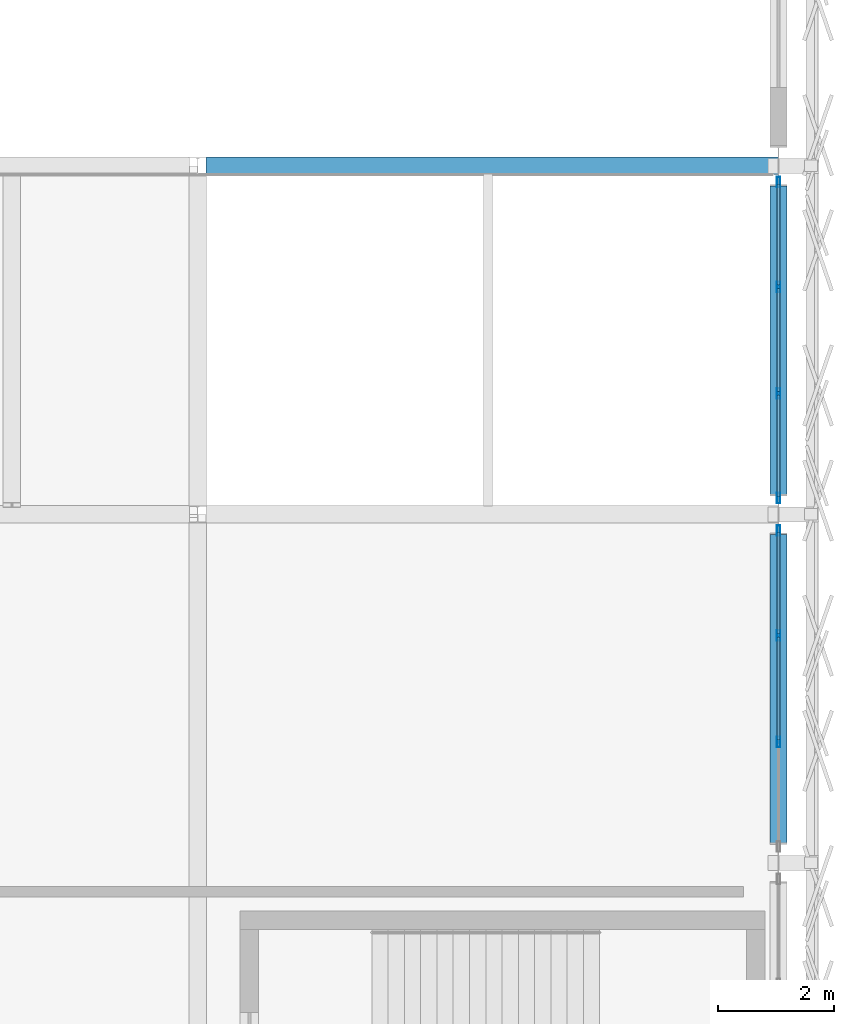
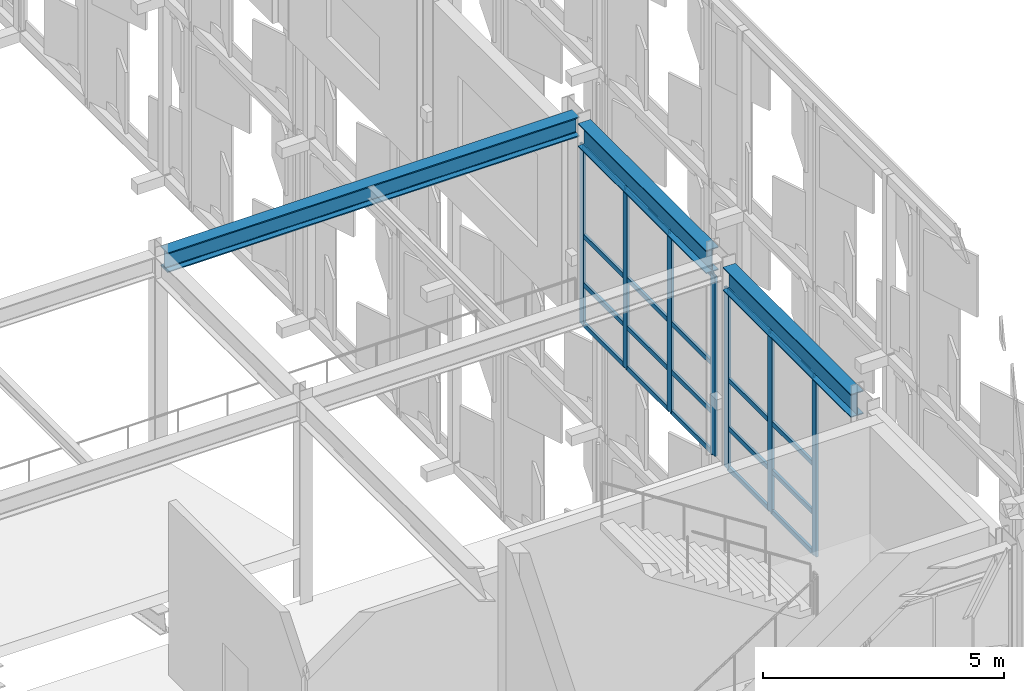
# One storey, part 165 of 239: 27 members, 3 beams, 2 elements without a shape of their own.
"""IFC4 building model written with IfcOpenShell, lengths in metres."""

import ifcopenshell
import ifcopenshell.guid

model = None  # the IFC model being written
_history = None  # IfcOwnerHistory: only IFC2X3 demands one
_inside = {}  # id of a spatial element -> (the spatial element, [elements in it])
_under = {}  # id of a project, library or spatial element -> (it, [spatial elements below it])
_declared = {}  # id of a project -> (the project, [libraries it declares])
_typed = {}  # id of a type object -> (the type object, [elements of that type])
_made_of = {}  # id of a material, layer set ... -> (it, [elements and type objects made of it])


def new_model(schema):
    """Start an empty IFC model of exactly this schema.

    Asked for "IFC4X3", IfcOpenShell would pick the latest addendum, in which some entities
    have other attributes; the version numbers below select the first issue.
    IFC2X3 requires an IfcOwnerHistory on every rooted entity: one is made here for all.
    """
    global model, _history
    if schema == "IFC4X3":
        model = ifcopenshell.file(schema_version=(4, 3, 0, 0))
    else:
        model = ifcopenshell.file(schema=schema)
    _inside.clear()
    _under.clear()
    _declared.clear()
    _typed.clear()
    _made_of.clear()
    _history = None
    if model.schema == "IFC2X3":
        org = make("IfcOrganization", Name="unknown")
        user = make(
            "IfcPersonAndOrganization",
            ThePerson=make("IfcPerson", FamilyName="unknown"),
            TheOrganization=org,
        )
        app = make(
            "IfcApplication",
            ApplicationDeveloper=org,
            Version="unknown",
            ApplicationFullName="unknown",
            ApplicationIdentifier="unknown",
        )
        _history = make(
            "IfcOwnerHistory",
            OwningUser=user,
            OwningApplication=app,
            ChangeAction="ADDED",
            CreationDate=0,
        )
    return model


def make(cls, **values):
    """One entity of the class cls with the attributes given. An attribute that is None is left unset."""
    return model.create_entity(
        cls, **{name: value for name, value in values.items() if value is not None}
    )


def rooted(cls, **values):
    """An entity with a GlobalId (a new one), such as an element, a storey or a relation."""
    return make(cls, GlobalId=ifcopenshell.guid.new(), OwnerHistory=_history, **values)


def si_unit(unit_type, name, prefix=None):
    """IfcSIUnit, for example si_unit("LENGTHUNIT", "METRE", prefix="MILLI")."""
    return make("IfcSIUnit", UnitType=unit_type, Prefix=prefix, Name=name)


def assignment(units):
    """IfcUnitAssignment: the units of a project."""
    return None if units is None else make("IfcUnitAssignment", Units=units)


def point(xyz):
    """IfcCartesianPoint."""
    return None if xyz is None else make("IfcCartesianPoint", Coordinates=xyz)


def direction(xyz):
    """IfcDirection."""
    return None if xyz is None else make("IfcDirection", DirectionRatios=xyz)


def frame(location, z_axis=None, x_axis=None):
    """IfcAxis2Placement3D, a coordinate frame: its origin and axes. An axis left out is left unset."""
    return make(
        "IfcAxis2Placement3D",
        Location=point(location),
        Axis=direction(z_axis),
        RefDirection=direction(x_axis),
    )


def frame_2d(location, x_axis=None):
    """IfcAxis2Placement2D, a coordinate frame in the plane: its origin and x axis."""
    return make(
        "IfcAxis2Placement2D", Location=point(location), RefDirection=direction(x_axis)
    )


def origin():
    """The frame at (0, 0, 0) with its axes left unset."""
    return frame((0.0, 0.0, 0.0))


def origin_2d():
    """The frame at (0, 0) in the plane with its x axis left unset."""
    return frame_2d((0.0, 0.0))


def place(relative_to, where):
    """IfcLocalPlacement: puts the frame where relative to a parent placement (None: the world)."""
    return make(
        "IfcLocalPlacement", PlacementRelTo=relative_to, RelativePlacement=where
    )


def context(
    kind, dimensions, precision=None, world=None, true_north=None, identifier=None
):
    """IfcGeometricRepresentationContext, for example the 3D "Model" context."""
    return make(
        "IfcGeometricRepresentationContext",
        ContextIdentifier=identifier,
        ContextType=kind,
        CoordinateSpaceDimension=dimensions,
        Precision=precision,
        WorldCoordinateSystem=world,
        TrueNorth=true_north,
    )


def subcontext(parent, identifier, kind, view, scale=None):
    """IfcGeometricRepresentationSubContext, for example "Body" below "Model"."""
    return make(
        "IfcGeometricRepresentationSubContext",
        ContextIdentifier=identifier,
        ContextType=kind,
        ParentContext=parent,
        TargetScale=scale,
        TargetView=view,
    )


def project(units=None, contexts=None):
    """IfcProject with its units and contexts."""
    return rooted(
        "IfcProject",
        Name="project",
        RepresentationContexts=contexts,
        UnitsInContext=assignment(units),
    )


def spatial(cls, under=None, at=None, **own):
    """A site, building, storey or space (cls), placed at a placement, below another one or the project."""
    s = rooted(cls, ObjectPlacement=at, **own)
    if under is not None:
        _under.setdefault(under.id(), (under, []))[1].append(s)
    return s


def profile(cls, at=None, kind="AREA", **sizes):
    """A parametric profile (cls). Its sizes go by their IFC names, for example OverallWidth=200.0."""
    return make(cls, ProfileType=kind, Position=at, **sizes)


def hollow_rectangle(**sizes):
    """IfcRectangleHollowProfileDef."""
    return profile("IfcRectangleHollowProfileDef", **sizes)


def i_section(**sizes):
    """IfcIShapeProfileDef."""
    return profile("IfcIShapeProfileDef", **sizes)


def extrude(swept, where, along, depth):
    """IfcExtrudedAreaSolid: the profile swept, set in the frame where, extruded along a direction by depth."""
    return make(
        "IfcExtrudedAreaSolid",
        SweptArea=swept,
        Position=where,
        ExtrudedDirection=direction(along),
        Depth=depth,
    )


def shape(context_of_items, identifier, shape_type, items):
    """IfcShapeRepresentation: the items that make up one representation, for example the "Body"."""
    return make(
        "IfcShapeRepresentation",
        ContextOfItems=context_of_items,
        RepresentationIdentifier=identifier,
        RepresentationType=shape_type,
        Items=items,
    )


def material(Name=None, Category=None):
    """IfcMaterial."""
    return make("IfcMaterial", Name=Name, Category=Category)


def material_profile(
    of_material, cross_section, Name=None, Category=None, Priority=None
):
    """IfcMaterialProfile: a cross section and its material."""
    return make(
        "IfcMaterialProfile",
        Name=Name,
        Material=of_material,
        Profile=cross_section,
        Priority=Priority,
        Category=Category,
    )


def profile_set(profiles, Name=None, composite=None):
    """IfcMaterialProfileSet."""
    return make(
        "IfcMaterialProfileSet",
        Name=Name,
        MaterialProfiles=profiles,
        CompositeProfile=composite,
    )


def made_of(thing, what):
    """Note that an element or type object is made of a material, layer set ...; save() writes the relation."""
    if what is not None:
        _made_of.setdefault(what.id(), (what, []))[1].append(thing)
    return thing


def type_object(cls, material=None, **own):
    """A type object (cls), such as IfcWallType, which elements share."""
    return made_of(rooted(cls, **own), material)


def element(
    cls,
    number,
    at=None,
    inside=None,
    cuts=None,
    type_object=None,
    material=None,
    context=None,
    identifier="Body",
    shape_type=None,
    held_by="IfcProductDefinitionShape",
    body=None,
    shapes=None,
    **own,
):
    """One element of the class cls, such as IfcWall. Its Tag is "e" and its number.

    at: its placement. inside: the storey or other place that contains it. cuts: it is an
    opening in that element (IfcRelVoidsElement). A single representation is given by context,
    identifier, shape_type and body (its items); several are given by shapes. held_by: the class
    of the entity that holds the representations. save() writes the other relations.
    """
    e = rooted(cls, Tag="e%d" % number, ObjectPlacement=at, **own)
    if body is not None:
        shapes = [shape(context, identifier, shape_type, body)]
    if shapes is not None:
        e.Representation = make(held_by, Representations=shapes)
    if inside is not None:
        _inside.setdefault(inside.id(), (inside, []))[1].append(e)
    if cuts is not None:
        rooted(
            "IfcRelVoidsElement", RelatingBuildingElement=cuts, RelatedOpeningElement=e
        )
    if type_object is not None:
        _typed.setdefault(type_object.id(), (type_object, []))[1].append(e)
    return made_of(e, material)


def aggregate(whole, parts):
    """IfcRelAggregates: a whole, such as a stair, and the parts it consists of."""
    return rooted("IfcRelAggregates", RelatingObject=whole, RelatedObjects=parts)


def save(model, path):
    """Write the relations noted so far, then the file.

    IfcRelAggregates (storeys below a building ...), IfcRelContainedInSpatialStructure (elements
    in a storey), IfcRelDefinesByType, IfcRelAssociatesMaterial and IfcRelDeclares: one each for
    every whole, place, type object, material and project.
    """
    for whole, parts in _under.values():
        aggregate(whole, parts)
    for where, things in _inside.values():
        rooted(
            "IfcRelContainedInSpatialStructure",
            RelatedElements=things,
            RelatingStructure=where,
        )
    for kind, things in _typed.values():
        rooted("IfcRelDefinesByType", RelatedObjects=things, RelatingType=kind)
    for what, things in _made_of.values():
        rooted("IfcRelAssociatesMaterial", RelatedObjects=things, RelatingMaterial=what)
    for by, libraries in _declared.values():
        rooted("IfcRelDeclares", RelatingContext=by, RelatedDefinitions=libraries)
    model.write(path)


model = new_model("IFC4")

# Units and contexts
model_context = context("Model", 3, precision=1e-05, world=origin(), true_north=direction((0.0, 1.0)))
body_context = subcontext(model_context, "Body", "Model", "MODEL_VIEW")
ifc_project = project(units=[si_unit("LENGTHUNIT", "METRE"), si_unit("AREAUNIT", "SQUARE_METRE"), si_unit("VOLUMEUNIT", "CUBIC_METRE"), si_unit("PLANEANGLEUNIT", "RADIAN"), si_unit("MASSUNIT", "GRAM", prefix="KILO")], contexts=[model_context])

# Site, building, storey
site_placement = place(None, origin())
site = spatial("IfcSite", under=ifc_project, at=site_placement, CompositionType="ELEMENT")
building_placement = place(site_placement, origin())
building = spatial("IfcBuilding", under=site, at=building_placement, Name="Kaldris Quays Convention Centre", CompositionType="ELEMENT")
storey_placement = place(building_placement, frame((0.0, 0.0, 11.39990234375)))
storey = spatial("IfcBuildingStorey", under=building, at=storey_placement, Name="L02", CompositionType="ELEMENT", Elevation=11.39990234375)

# Curtain wall, members
ifc_material_1 = material(Name="Anodized aluminium AW-6060 and triple glazing", Category="aluminium")
curtain_wall_type = type_object("IfcCurtainWallType", Name="UNITISED CURTAIN WALL CW02", PredefinedType="NOTDEFINED", material=ifc_material_1)
curtain_wall_1_placement = place(storey_placement, origin())
curtain_wall_1 = element("IfcCurtainWall", 1, at=curtain_wall_1_placement, inside=storey, type_object=curtain_wall_type, Name="L02 Unitised Curtain Wall CW02 34", PredefinedType="NOTDEFINED")
ifc_material_2 = material(Name="Anodized aluminium AW-6060", Category="aluminium")
ifc_material_profile_1 = material_profile(ifc_material_2, hollow_rectangle(XDim=0.06005859375, YDim=0.179931640625, WallThickness=0.0048828125, at=origin_2d()), Name="RHS 180x60x5")
ifc_profile_set_1 = profile_set([ifc_material_profile_1], Name="Anodized aluminium AW-6060")
member_type_1 = type_object("IfcMemberType", Name="CURTAIN MULLION CWM2", PredefinedType="MULLION", material=ifc_profile_set_1)
member_1_placement = place(storey_placement, frame((204.0, 64.083251953125, 0.0), z_axis=(0.0, 0.0, 1.0), x_axis=(-1.0, 0.0, 0.0)))
member_1 = element("IfcMember", 2, at=member_1_placement, type_object=member_type_1, Name="CW02 mullion 2", PredefinedType="MULLION", context=body_context, shape_type="SweptSolid", body=[
    extrude(hollow_rectangle(XDim=0.06005859375, YDim=0.179931640625, WallThickness=0.0048828125, at=origin_2d()), origin(), (0.0, 0.0, 1.0), 4.548095703125),
])
member_2_placement = place(storey_placement, frame((204.0, 65.916748046875, 0.0), z_axis=(0.0, 0.0, 1.0), x_axis=(-1.0, 0.0, 0.0)))
member_2 = element("IfcMember", 3, at=member_2_placement, type_object=member_type_1, Name="CW02 mullion 3", PredefinedType="MULLION", context=body_context, shape_type="SweptSolid", body=[
    extrude(hollow_rectangle(XDim=0.06005859375, YDim=0.179931640625, WallThickness=0.0048828125, at=origin_2d()), origin(), (0.0, 0.0, 1.0), 4.548095703125),
])
member_3_placement = place(storey_placement, frame((204.0, 67.719970703125, 0.0), z_axis=(0.0, 0.0, 1.0), x_axis=(-1.0, 0.0, 0.0)))
member_3 = element("IfcMember", 4, at=member_3_placement, type_object=member_type_1, Name="CW02 mullion 4", PredefinedType="MULLION", context=body_context, shape_type="SweptSolid", body=[
    extrude(hollow_rectangle(XDim=0.06005859375, YDim=0.179931640625, WallThickness=0.0048828125, at=origin_2d()), origin(), (0.0, 0.0, 1.0), 4.548095703125),
])

curtain_wall_2_placement = place(storey_placement, origin())
curtain_wall_2 = element("IfcCurtainWall", 5, at=curtain_wall_2_placement, inside=storey, type_object=curtain_wall_type, Name="L02 Unitised Curtain Wall CW02 35", PredefinedType="NOTDEFINED")
member_4_placement = place(storey_placement, frame((204.0, 68.280029296875, 0.0), z_axis=(0.0, 0.0, 1.0), x_axis=(-1.0, 0.0, 0.0)))
member_4 = element("IfcMember", 6, at=member_4_placement, type_object=member_type_1, Name="CW02 mullion 1", PredefinedType="MULLION", context=body_context, shape_type="SweptSolid", body=[
    extrude(hollow_rectangle(XDim=0.06005859375, YDim=0.179931640625, WallThickness=0.0048828125, at=origin_2d()), origin(), (0.0, 0.0, 1.0), 4.548095703125),
])
member_5_placement = place(storey_placement, frame((204.0, 70.083251953125, 0.0), z_axis=(0.0, 0.0, 1.0), x_axis=(-1.0, 0.0, 0.0)))
member_5 = element("IfcMember", 7, at=member_5_placement, type_object=member_type_1, Name="CW02 mullion 2", PredefinedType="MULLION", context=body_context, shape_type="SweptSolid", body=[
    extrude(hollow_rectangle(XDim=0.06005859375, YDim=0.179931640625, WallThickness=0.0048828125, at=origin_2d()), origin(), (0.0, 0.0, 1.0), 4.548095703125),
])
member_6_placement = place(storey_placement, frame((204.0, 71.916748046875, 0.0), z_axis=(0.0, 0.0, 1.0), x_axis=(-1.0, 0.0, 0.0)))
member_6 = element("IfcMember", 8, at=member_6_placement, type_object=member_type_1, Name="CW02 mullion 3", PredefinedType="MULLION", context=body_context, shape_type="SweptSolid", body=[
    extrude(hollow_rectangle(XDim=0.06005859375, YDim=0.179931640625, WallThickness=0.0048828125, at=origin_2d()), origin(), (0.0, 0.0, 1.0), 4.548095703125),
])
member_7_placement = place(storey_placement, frame((204.0, 73.719970703125, 0.0), z_axis=(0.0, 0.0, 1.0), x_axis=(-1.0, 0.0, 0.0)))
member_7 = element("IfcMember", 9, at=member_7_placement, type_object=member_type_1, Name="CW02 mullion 4", PredefinedType="MULLION", context=body_context, shape_type="SweptSolid", body=[
    extrude(hollow_rectangle(XDim=0.06005859375, YDim=0.179931640625, WallThickness=0.0048828125, at=origin_2d()), origin(), (0.0, 0.0, 1.0), 4.548095703125),
])

# Member
ifc_material_profile_2 = material_profile(ifc_material_2, hollow_rectangle(XDim=0.06005859375, YDim=0.1201171875, WallThickness=0.00390625, at=origin_2d()), Name="RHS 120x60x4")
ifc_profile_set_2 = profile_set([ifc_material_profile_2], Name="Anodized aluminium AW-6060")
member_type_2 = type_object("IfcMemberType", Name="CURTAIN TRANSOM CWT1", PredefinedType="USERDEFINED", material=ifc_profile_set_2)
member_8_placement = place(storey_placement, frame((204.0, 64.11328125, 0.030029296875), z_axis=(0.0, 1.0, 0.0), x_axis=(-1.0, 0.0, 0.0)))
member_8 = element("IfcMember", 10, at=member_8_placement, type_object=member_type_2, Name="CW02 transom 2.1", ObjectType="TRANSOM", PredefinedType="USERDEFINED", context=body_context, shape_type="SweptSolid", body=[
    extrude(hollow_rectangle(XDim=0.06005859375, YDim=0.1201171875, WallThickness=0.00390625, at=origin_2d()), origin(), (0.0, 0.0, 1.0), 1.7734375),
])

member_9_placement = place(storey_placement, frame((204.0, 64.11328125, 1.050048828125), z_axis=(0.0, 1.0, 0.0), x_axis=(-1.0, 0.0, 0.0)))
member_9 = element("IfcMember", 11, at=member_9_placement, type_object=member_type_2, Name="CW02 transom 2.2", ObjectType="TRANSOM", PredefinedType="USERDEFINED", context=body_context, shape_type="SweptSolid", body=[
    extrude(hollow_rectangle(XDim=0.06005859375, YDim=0.1201171875, WallThickness=0.00390625, at=origin_2d()), origin(), (0.0, 0.0, 1.0), 1.7734375),
])

member_10_placement = place(storey_placement, frame((204.0, 64.11328125, 2.274169921875), z_axis=(0.0, 1.0, 0.0), x_axis=(-1.0, 0.0, 0.0)))
member_10 = element("IfcMember", 12, at=member_10_placement, type_object=member_type_2, Name="CW02 transom 2.3", ObjectType="TRANSOM", PredefinedType="USERDEFINED", context=body_context, shape_type="SweptSolid", body=[
    extrude(hollow_rectangle(XDim=0.06005859375, YDim=0.1201171875, WallThickness=0.00390625, at=origin_2d()), origin(), (0.0, 0.0, 1.0), 1.7734375),
])

member_11_placement = place(storey_placement, frame((204.0, 64.11328125, 4.51806640625), z_axis=(0.0, 1.0, 0.0), x_axis=(-1.0, 0.0, 0.0)))
member_11 = element("IfcMember", 13, at=member_11_placement, type_object=member_type_2, Name="CW02 transom 2.4", ObjectType="TRANSOM", PredefinedType="USERDEFINED", context=body_context, shape_type="SweptSolid", body=[
    extrude(hollow_rectangle(XDim=0.06005859375, YDim=0.1201171875, WallThickness=0.00390625, at=origin_2d()), origin(), (0.0, 0.0, 1.0), 1.7734375),
])

member_12_placement = place(storey_placement, frame((204.0, 65.94677734375, 0.030029296875), z_axis=(0.0, 1.0, 0.0), x_axis=(-1.0, 0.0, 0.0)))
member_12 = element("IfcMember", 14, at=member_12_placement, type_object=member_type_2, Name="CW02 transom 3.1", ObjectType="TRANSOM", PredefinedType="USERDEFINED", context=body_context, shape_type="SweptSolid", body=[
    extrude(hollow_rectangle(XDim=0.06005859375, YDim=0.1201171875, WallThickness=0.00390625, at=origin_2d()), origin(), (0.0, 0.0, 1.0), 1.7431640625),
])

member_13_placement = place(storey_placement, frame((204.0, 65.94677734375, 1.050048828125), z_axis=(0.0, 1.0, 0.0), x_axis=(-1.0, 0.0, 0.0)))
member_13 = element("IfcMember", 15, at=member_13_placement, type_object=member_type_2, Name="CW02 transom 3.2", ObjectType="TRANSOM", PredefinedType="USERDEFINED", context=body_context, shape_type="SweptSolid", body=[
    extrude(hollow_rectangle(XDim=0.06005859375, YDim=0.1201171875, WallThickness=0.00390625, at=origin_2d()), origin(), (0.0, 0.0, 1.0), 1.7431640625),
])

member_14_placement = place(storey_placement, frame((204.0, 65.94677734375, 2.274169921875), z_axis=(0.0, 1.0, 0.0), x_axis=(-1.0, 0.0, 0.0)))
member_14 = element("IfcMember", 16, at=member_14_placement, type_object=member_type_2, Name="CW02 transom 3.3", ObjectType="TRANSOM", PredefinedType="USERDEFINED", context=body_context, shape_type="SweptSolid", body=[
    extrude(hollow_rectangle(XDim=0.06005859375, YDim=0.1201171875, WallThickness=0.00390625, at=origin_2d()), origin(), (0.0, 0.0, 1.0), 1.7431640625),
])

member_15_placement = place(storey_placement, frame((204.0, 65.94677734375, 4.51806640625), z_axis=(0.0, 1.0, 0.0), x_axis=(-1.0, 0.0, 0.0)))
member_15 = element("IfcMember", 17, at=member_15_placement, type_object=member_type_2, Name="CW02 transom 3.4", ObjectType="TRANSOM", PredefinedType="USERDEFINED", context=body_context, shape_type="SweptSolid", body=[
    extrude(hollow_rectangle(XDim=0.06005859375, YDim=0.1201171875, WallThickness=0.00390625, at=origin_2d()), origin(), (0.0, 0.0, 1.0), 1.7431640625),
])

aggregate(curtain_wall_1, [member_1, member_2, member_3, member_8, member_9, member_10, member_11, member_12, member_13, member_14, member_15])

member_16_placement = place(storey_placement, frame((204.0, 68.31005859375, 0.030029296875), z_axis=(0.0, 1.0, 0.0), x_axis=(-1.0, 0.0, 0.0)))
member_16 = element("IfcMember", 18, at=member_16_placement, type_object=member_type_2, Name="CW02 transom 1.1", ObjectType="TRANSOM", PredefinedType="USERDEFINED", context=body_context, shape_type="SweptSolid", body=[
    extrude(hollow_rectangle(XDim=0.06005859375, YDim=0.1201171875, WallThickness=0.00390625, at=origin_2d()), origin(), (0.0, 0.0, 1.0), 1.7431640625),
])

member_17_placement = place(storey_placement, frame((204.0, 68.31005859375, 1.050048828125), z_axis=(0.0, 1.0, 0.0), x_axis=(-1.0, 0.0, 0.0)))
member_17 = element("IfcMember", 19, at=member_17_placement, type_object=member_type_2, Name="CW02 transom 1.2", ObjectType="TRANSOM", PredefinedType="USERDEFINED", context=body_context, shape_type="SweptSolid", body=[
    extrude(hollow_rectangle(XDim=0.06005859375, YDim=0.1201171875, WallThickness=0.00390625, at=origin_2d()), origin(), (0.0, 0.0, 1.0), 1.7431640625),
])

member_18_placement = place(storey_placement, frame((204.0, 68.31005859375, 2.274169921875), z_axis=(0.0, 1.0, 0.0), x_axis=(-1.0, 0.0, 0.0)))
member_18 = element("IfcMember", 20, at=member_18_placement, type_object=member_type_2, Name="CW02 transom 1.3", ObjectType="TRANSOM", PredefinedType="USERDEFINED", context=body_context, shape_type="SweptSolid", body=[
    extrude(hollow_rectangle(XDim=0.06005859375, YDim=0.1201171875, WallThickness=0.00390625, at=origin_2d()), origin(), (0.0, 0.0, 1.0), 1.7431640625),
])

member_19_placement = place(storey_placement, frame((204.0, 68.31005859375, 4.51806640625), z_axis=(0.0, 1.0, 0.0), x_axis=(-1.0, 0.0, 0.0)))
member_19 = element("IfcMember", 21, at=member_19_placement, type_object=member_type_2, Name="CW02 transom 1.4", ObjectType="TRANSOM", PredefinedType="USERDEFINED", context=body_context, shape_type="SweptSolid", body=[
    extrude(hollow_rectangle(XDim=0.06005859375, YDim=0.1201171875, WallThickness=0.00390625, at=origin_2d()), origin(), (0.0, 0.0, 1.0), 1.7431640625),
])

member_20_placement = place(storey_placement, frame((204.0, 70.11328125, 0.030029296875), z_axis=(0.0, 1.0, 0.0), x_axis=(-1.0, 0.0, 0.0)))
member_20 = element("IfcMember", 22, at=member_20_placement, type_object=member_type_2, Name="CW02 transom 2.1", ObjectType="TRANSOM", PredefinedType="USERDEFINED", context=body_context, shape_type="SweptSolid", body=[
    extrude(hollow_rectangle(XDim=0.06005859375, YDim=0.1201171875, WallThickness=0.00390625, at=origin_2d()), origin(), (0.0, 0.0, 1.0), 1.7734375),
])

member_21_placement = place(storey_placement, frame((204.0, 70.11328125, 1.050048828125), z_axis=(0.0, 1.0, 0.0), x_axis=(-1.0, 0.0, 0.0)))
member_21 = element("IfcMember", 23, at=member_21_placement, type_object=member_type_2, Name="CW02 transom 2.2", ObjectType="TRANSOM", PredefinedType="USERDEFINED", context=body_context, shape_type="SweptSolid", body=[
    extrude(hollow_rectangle(XDim=0.06005859375, YDim=0.1201171875, WallThickness=0.00390625, at=origin_2d()), origin(), (0.0, 0.0, 1.0), 1.7734375),
])

member_22_placement = place(storey_placement, frame((204.0, 70.11328125, 2.274169921875), z_axis=(0.0, 1.0, 0.0), x_axis=(-1.0, 0.0, 0.0)))
member_22 = element("IfcMember", 24, at=member_22_placement, type_object=member_type_2, Name="CW02 transom 2.3", ObjectType="TRANSOM", PredefinedType="USERDEFINED", context=body_context, shape_type="SweptSolid", body=[
    extrude(hollow_rectangle(XDim=0.06005859375, YDim=0.1201171875, WallThickness=0.00390625, at=origin_2d()), origin(), (0.0, 0.0, 1.0), 1.7734375),
])

member_23_placement = place(storey_placement, frame((204.0, 70.11328125, 4.51806640625), z_axis=(0.0, 1.0, 0.0), x_axis=(-1.0, 0.0, 0.0)))
member_23 = element("IfcMember", 25, at=member_23_placement, type_object=member_type_2, Name="CW02 transom 2.4", ObjectType="TRANSOM", PredefinedType="USERDEFINED", context=body_context, shape_type="SweptSolid", body=[
    extrude(hollow_rectangle(XDim=0.06005859375, YDim=0.1201171875, WallThickness=0.00390625, at=origin_2d()), origin(), (0.0, 0.0, 1.0), 1.7734375),
])

member_24_placement = place(storey_placement, frame((204.0, 71.94677734375, 0.030029296875), z_axis=(0.0, 1.0, 0.0), x_axis=(-1.0, 0.0, 0.0)))
member_24 = element("IfcMember", 26, at=member_24_placement, type_object=member_type_2, Name="CW02 transom 3.1", ObjectType="TRANSOM", PredefinedType="USERDEFINED", context=body_context, shape_type="SweptSolid", body=[
    extrude(hollow_rectangle(XDim=0.06005859375, YDim=0.1201171875, WallThickness=0.00390625, at=origin_2d()), origin(), (0.0, 0.0, 1.0), 1.7431640625),
])

member_25_placement = place(storey_placement, frame((204.0, 71.94677734375, 1.050048828125), z_axis=(0.0, 1.0, 0.0), x_axis=(-1.0, 0.0, 0.0)))
member_25 = element("IfcMember", 27, at=member_25_placement, type_object=member_type_2, Name="CW02 transom 3.2", ObjectType="TRANSOM", PredefinedType="USERDEFINED", context=body_context, shape_type="SweptSolid", body=[
    extrude(hollow_rectangle(XDim=0.06005859375, YDim=0.1201171875, WallThickness=0.00390625, at=origin_2d()), origin(), (0.0, 0.0, 1.0), 1.7431640625),
])

member_26_placement = place(storey_placement, frame((204.0, 71.94677734375, 2.274169921875), z_axis=(0.0, 1.0, 0.0), x_axis=(-1.0, 0.0, 0.0)))
member_26 = element("IfcMember", 28, at=member_26_placement, type_object=member_type_2, Name="CW02 transom 3.3", ObjectType="TRANSOM", PredefinedType="USERDEFINED", context=body_context, shape_type="SweptSolid", body=[
    extrude(hollow_rectangle(XDim=0.06005859375, YDim=0.1201171875, WallThickness=0.00390625, at=origin_2d()), origin(), (0.0, 0.0, 1.0), 1.7431640625),
])

member_27_placement = place(storey_placement, frame((204.0, 71.94677734375, 4.51806640625), z_axis=(0.0, 1.0, 0.0), x_axis=(-1.0, 0.0, 0.0)))
member_27 = element("IfcMember", 29, at=member_27_placement, type_object=member_type_2, Name="CW02 transom 3.4", ObjectType="TRANSOM", PredefinedType="USERDEFINED", context=body_context, shape_type="SweptSolid", body=[
    extrude(hollow_rectangle(XDim=0.06005859375, YDim=0.1201171875, WallThickness=0.00390625, at=origin_2d()), origin(), (0.0, 0.0, 1.0), 1.7431640625),
])

aggregate(curtain_wall_2, [member_4, member_5, member_6, member_7, member_16, member_17, member_18, member_19, member_20, member_21, member_22, member_23, member_24, member_25, member_26, member_27])

# Beams
ifc_material_3 = material(Name="Steel S355J2", Category="steel")
ifc_material_profile_3 = material_profile(ifc_material_3, i_section(OverallWidth=0.300048828125, OverallDepth=0.5, WebThickness=0.014404296875, FlangeThickness=0.028076171875, FilletRadius=0.027099609375, at=origin_2d()), Name="HEB 500")
ifc_profile_set_3 = profile_set([ifc_material_profile_3], Name="Steel S355J2")
beam_type_1 = type_object("IfcBeamType", Name="STRUCTURAL BEAM BM06", PredefinedType="BEAM", material=ifc_profile_set_3)
beam_placement = place(storey_placement, frame((194.14404296875, 74.0, 4.9130859375), z_axis=(1.0, 0.0, 0.0), x_axis=(0.0, 1.0, 0.0)))
element("IfcBeam", 30, at=beam_placement, inside=storey, type_object=beam_type_1, Name="L02 Girder BM06 12", PredefinedType="BEAM", context=body_context, shape_type="SweptSolid", body=[
    extrude(i_section(OverallWidth=0.300048828125, OverallDepth=0.5, WebThickness=0.014404296875, FlangeThickness=0.028076171875, FilletRadius=0.027099609375, at=origin_2d()), origin(), (0.0, 0.0, 1.0), 9.853515625),
])
ifc_material_profile_4 = material_profile(ifc_material_3, i_section(OverallWidth=0.300048828125, OverallDepth=0.590087890625, WebThickness=0.012939453125, FlangeThickness=0.02490234375, FilletRadius=0.027099609375, at=origin_2d()), Name="HEA 600")
ifc_profile_set_4 = profile_set([ifc_material_profile_4], Name="Steel S355J2")
beam_type_2 = type_object("IfcBeamType", Name="STRUCTURAL BEAM BM08", PredefinedType="BEAM", material=ifc_profile_set_4)
for number, where, z_axis, x_axis, name in (
    (31, (204.0, 62.343994140625, 4.8681640625), (0.0, 1.0, 0.0), (-1.0, 0.0, 0.0), "L02 Girder BM08 23"),
    (32, (204.0, 68.343994140625, 4.8681640625), (0.0, 1.0, 0.0), (-1.0, 0.0, 0.0), "L02 Girder BM08 24"),
):
    element("IfcBeam", number, at=place(storey_placement, frame(where, z_axis=z_axis, x_axis=x_axis)), inside=storey, type_object=beam_type_2, Name=name, PredefinedType="BEAM", context=body_context, shape_type="SweptSolid", body=[
        extrude(i_section(OverallWidth=0.300048828125, OverallDepth=0.590087890625, WebThickness=0.012939453125, FlangeThickness=0.02490234375, FilletRadius=0.027099609375, at=origin_2d()), origin(), (0.0, 0.0, 1.0), 5.31201171875),
    ])

save(model, "model.ifc")
